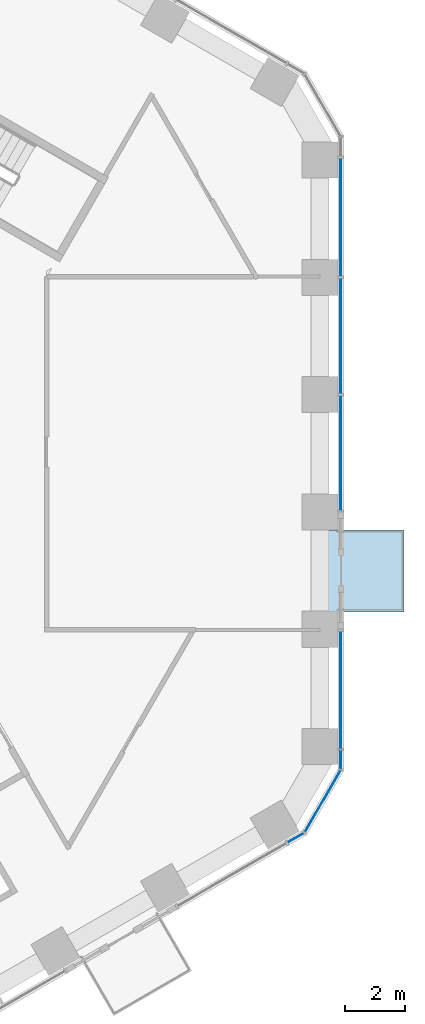
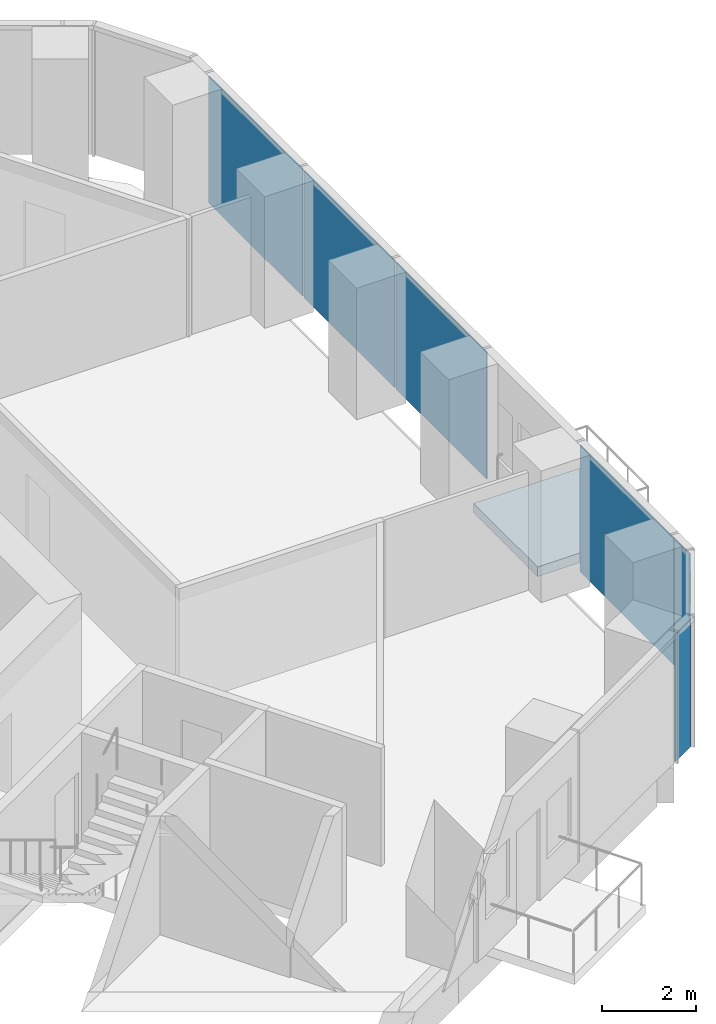
# One storey, part 11 of 20: 7 plates, 1 slab, 3 elements without a shape of their own.
"""IFC4 building model written with IfcOpenShell, lengths in metres."""

from ifc_helpers import new_model, si_unit, direction, frame, origin, origin_2d, place, context, subcontext, project, spatial, polyline, rectangle, outline, extrude, material, layer, layer_set, type_object, element, aggregate, save


model = new_model("IFC4")

# Units and contexts
model_context = context("Model", 3, precision=1e-05, world=origin(), true_north=direction((0.0, 1.0)))
body_context = subcontext(model_context, "Body", "Model", "MODEL_VIEW")
ifc_project = project(units=[si_unit("LENGTHUNIT", "METRE"), si_unit("AREAUNIT", "SQUARE_METRE"), si_unit("VOLUMEUNIT", "CUBIC_METRE"), si_unit("PLANEANGLEUNIT", "RADIAN"), si_unit("MASSUNIT", "GRAM", prefix="KILO")], contexts=[model_context])

# Site, building, storey
site_placement = place(None, origin())
site = spatial("IfcSite", under=ifc_project, at=site_placement, CompositionType="ELEMENT")
building_placement = place(site_placement, origin())
building = spatial("IfcBuilding", under=site, at=building_placement, Name="Ayvan Gate Tower", CompositionType="ELEMENT")
storey_placement = place(building_placement, frame((0.0, 0.0, 49.300048828125)))
storey = spatial("IfcBuildingStorey", under=building, at=storey_placement, Name="L12", CompositionType="ELEMENT", Elevation=49.300048828125)

# Slab
ifc_material_1 = material(Name="Concrete C40/50", Category="concrete")
ifc_layer_1 = layer(ifc_material_1, 0.25)
ifc_layer_set_1 = layer_set([ifc_layer_1], Name="Concrete C40/50")
slab_type = type_object("IfcSlabType", Name="Balcony slab 250", PredefinedType="FLOOR", material=ifc_layer_set_1)
slab_placement = place(storey_placement, frame((0.0, 0.0, -0.25)))
element("IfcSlab", 1, at=slab_placement, inside=storey, type_object=slab_type, Name="Balcony slab BAL-L12-0", PredefinedType="FLOOR", context=body_context, shape_type="SweptSolid", body=[
    extrude(outline(polyline([(20.78466796875, -5.27294921875), (20.78466796875, -2.5576171875), (23.584716796875, -2.5576171875), (23.584716796875, -5.27294921875), (20.78466796875, -5.27294921875)])), origin(), (0.0, 0.0, 1.0), 0.25),
])

# Curtain wall, plate
ifc_material_2 = material(Name="Bronze anodised aluminium", Category="aluminium")
ifc_layer_2 = layer(ifc_material_2, 0.199951171875)
ifc_layer_set_2 = layer_set([ifc_layer_2], Name="Bronze anodised aluminium")
curtain_wall_type_1 = type_object("IfcCurtainWallType", Name="Stick curtain wall CW-1", PredefinedType="NOTDEFINED", material=ifc_layer_set_2)
curtain_wall_1_placement = place(storey_placement, origin())
curtain_wall_1 = element("IfcCurtainWall", 2, at=curtain_wall_1_placement, inside=storey, type_object=curtain_wall_type_1, Name="Stick curtain wall CW-1 L12", PredefinedType="NOTDEFINED")
ifc_material_3 = material(Name="Clear low-iron laminated glass", Category="glass")
ifc_layer_3 = layer(ifc_material_3, 0.028076171875)
ifc_layer_set_3 = layer_set([ifc_layer_3], Name="Clear low-iron laminated glass")
plate_type_1 = type_object("IfcPlateType", Name="Stick curtain wall CW-1 glass panel", PredefinedType="CURTAIN_PANEL", material=ifc_layer_set_3)
plate_1_placement = place(storey_placement, frame((21.484619140625, -7.866455078125, 0.0), z_axis=(0.0, 0.0, 1.0), x_axis=(0.0, 1.0, 0.0)))
plate_1 = element("IfcPlate", 3, at=plate_1_placement, type_object=plate_type_1, Name="CW-1 glass panel 1", PredefinedType="CURTAIN_PANEL", context=body_context, shape_type="SweptSolid", body=[
    extrude(rectangle(XDim=3.968017578125, YDim=0.028076171875, at=origin_2d()), origin(), (0.0, 0.0, 1.0), 3.280029296875),
])
aggregate(curtain_wall_1, [plate_1])

# Curtain wall, plates
curtain_wall_2_placement = place(storey_placement, origin())
curtain_wall_2 = element("IfcCurtainWall", 4, at=curtain_wall_2_placement, inside=storey, type_object=curtain_wall_type_1, Name="Stick curtain wall CW-1 L12", PredefinedType="NOTDEFINED")
plate_2_placement = place(storey_placement, frame((21.484619140625, 0.0, 0.0), z_axis=(0.0, 0.0, 1.0), x_axis=(0.0, 1.0, 0.0)))
plate_2 = element("IfcPlate", 5, at=plate_2_placement, type_object=plate_type_1, Name="CW-1 glass panel 1", PredefinedType="CURTAIN_PANEL", context=body_context, shape_type="SweptSolid", body=[
    extrude(rectangle(XDim=3.841064453125, YDim=0.028076171875, at=origin_2d()), origin(), (0.0, 0.0, 1.0), 3.280029296875),
])
plate_3_placement = place(storey_placement, frame((21.484619140625, 3.901611328125, 0.0), z_axis=(0.0, 0.0, 1.0), x_axis=(0.0, 1.0, 0.0)))
plate_3 = element("IfcPlate", 6, at=plate_3_placement, type_object=plate_type_1, Name="CW-1 glass panel 2", PredefinedType="CURTAIN_PANEL", context=body_context, shape_type="SweptSolid", body=[
    extrude(rectangle(XDim=3.842041015625, YDim=0.028076171875, at=origin_2d()), origin(), (0.0, 0.0, 1.0), 3.280029296875),
])
plate_4_placement = place(storey_placement, frame((21.484619140625, 7.866455078125, 0.0), z_axis=(0.0, 0.0, 1.0), x_axis=(0.0, 1.0, 0.0)))
plate_4 = element("IfcPlate", 7, at=plate_4_placement, type_object=plate_type_1, Name="CW-1 glass panel 3", PredefinedType="CURTAIN_PANEL", context=body_context, shape_type="SweptSolid", body=[
    extrude(rectangle(XDim=3.9677734375, YDim=0.028076171875, at=origin_2d()), origin(), (0.0, 0.0, 1.0), 3.280029296875),
])
aggregate(curtain_wall_2, [plate_2, plate_3, plate_4])

ifc_layer_4 = layer(ifc_material_2, 0.199951171875)
ifc_layer_set_4 = layer_set([ifc_layer_4], Name="Bronze anodised aluminium")
curtain_wall_type_2 = type_object("IfcCurtainWallType", Name="Stick curtain wall CW-6", PredefinedType="NOTDEFINED", material=ifc_layer_set_4)
curtain_wall_3_placement = place(storey_placement, origin())
curtain_wall_3 = element("IfcCurtainWall", 8, at=curtain_wall_3_placement, inside=storey, type_object=curtain_wall_type_2, Name="Stick curtain wall CW-6 L12", PredefinedType="NOTDEFINED")
ifc_layer_5 = layer(ifc_material_3, 0.028076171875)
ifc_layer_set_5 = layer_set([ifc_layer_5], Name="Clear low-iron laminated glass")
plate_type_2 = type_object("IfcPlateType", Name="Stick curtain wall CW-6 glass panel", PredefinedType="CURTAIN_PANEL", material=ifc_layer_set_5)
plate_5_placement = place(storey_placement, frame((19.985107421875, -12.790283203125, 0.0), z_axis=(0.0, 0.0, 1.0), x_axis=(0.866025403784, 0.5, 0.0)))
plate_5 = element("IfcPlate", 9, at=plate_5_placement, type_object=plate_type_2, Name="CW-6 glass panel 1", PredefinedType="CURTAIN_PANEL", context=body_context, shape_type="SweptSolid", body=[
    extrude(rectangle(XDim=0.625, YDim=0.028076171875, at=origin_2d()), origin(), (0.0, 0.0, 1.0), 3.280029296875),
])
plate_6_placement = place(storey_placement, frame((20.880859375, -11.575927734375, 0.0), z_axis=(0.0, 0.0, 1.0), x_axis=(0.5, 0.866025403784, 0.0)))
plate_6 = element("IfcPlate", 10, at=plate_6_placement, type_object=plate_type_2, Name="CW-6 glass panel 2", PredefinedType="CURTAIN_PANEL", context=body_context, shape_type="SweptSolid", body=[
    extrude(rectangle(XDim=2.364501953125, YDim=0.028076171875, at=origin_2d()), origin(), (0.0, 0.0, 1.0), 3.280029296875),
])
plate_7_placement = place(storey_placement, frame((21.484619140625, -10.19287109375, 0.0), z_axis=(0.0, 0.0, 1.0), x_axis=(0.0, 1.0, 0.0)))
plate_7 = element("IfcPlate", 11, at=plate_7_placement, type_object=plate_type_2, Name="CW-6 glass panel 3", PredefinedType="CURTAIN_PANEL", context=body_context, shape_type="SweptSolid", body=[
    extrude(rectangle(XDim=0.625, YDim=0.028076171875, at=origin_2d()), origin(), (0.0, 0.0, 1.0), 3.280029296875),
])
aggregate(curtain_wall_3, [plate_5, plate_6, plate_7])

save(model, "model.ifc")
